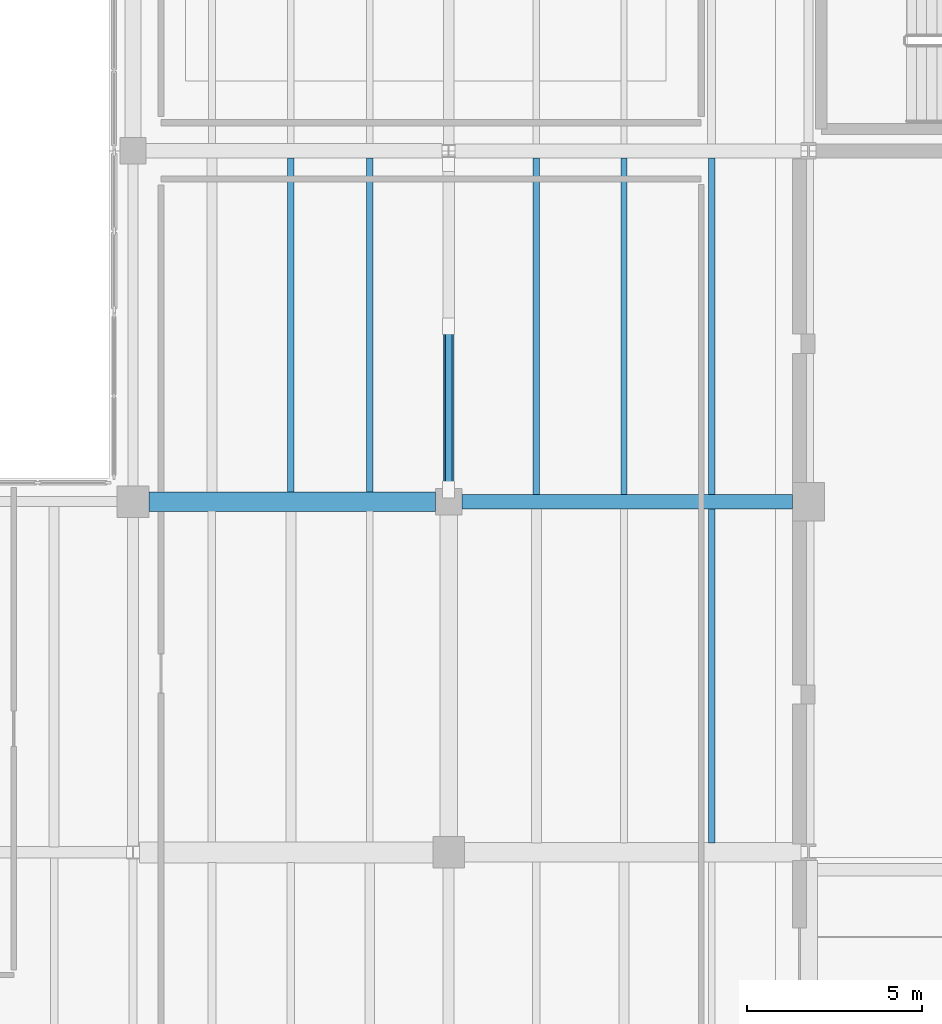
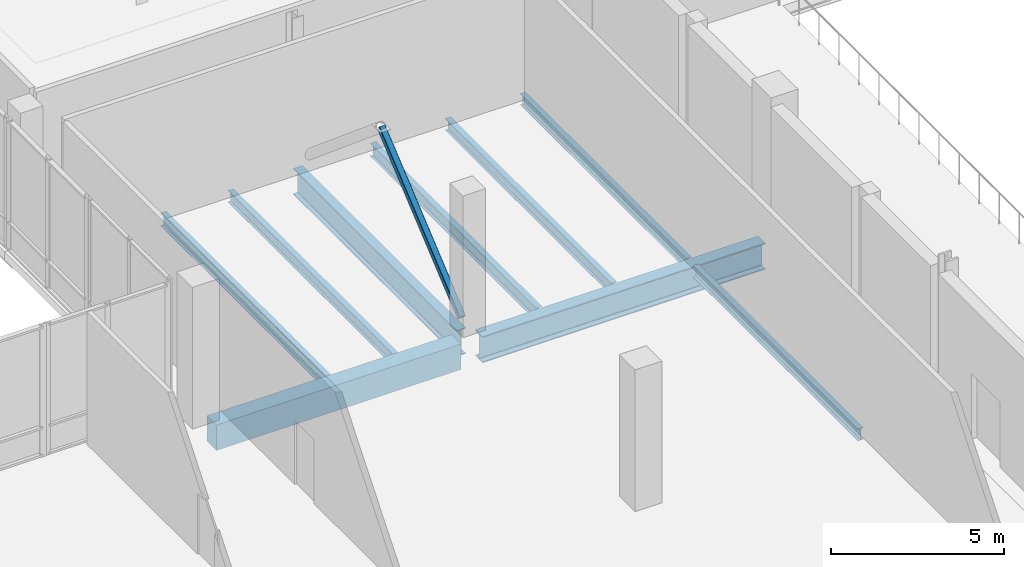
# One storey, part 25 of 81: 9 beams, 1 member.
"""IFC4 building model written with IfcOpenShell, lengths in metres."""

from ifc_helpers import new_model, si_unit, direction, frame, origin, origin_2d, place, context, subcontext, project, spatial, rectangle, hollow_rectangle, i_section, extrude, material, material_profile, profile_set, type_object, element, save


model = new_model("IFC4")

# Units and contexts
model_context = context("Model", 3, precision=1e-05, world=origin(), true_north=direction((0.0, 1.0)))
body_context = subcontext(model_context, "Body", "Model", "MODEL_VIEW")
ifc_project = project(units=[si_unit("LENGTHUNIT", "METRE"), si_unit("AREAUNIT", "SQUARE_METRE"), si_unit("VOLUMEUNIT", "CUBIC_METRE"), si_unit("PLANEANGLEUNIT", "RADIAN"), si_unit("MASSUNIT", "GRAM", prefix="KILO")], contexts=[model_context])

# Site, building, storey
site_placement = place(None, origin())
site = spatial("IfcSite", under=ifc_project, at=site_placement, CompositionType="ELEMENT")
building_placement = place(site_placement, origin())
building = spatial("IfcBuilding", under=site, at=building_placement, Name="Trimount Lyric Opera House", CompositionType="ELEMENT")
storey_placement = place(building_placement, frame((0.0, 0.0, 5.0)))
storey = spatial("IfcBuildingStorey", under=building, at=storey_placement, Name="L01", CompositionType="ELEMENT", Elevation=5.0)

# Beams
ifc_material_1 = material(Name="Steel ASTM A992 Grade 50", Category="steel")
ifc_material_profile_1 = material_profile(ifc_material_1, i_section(OverallWidth=0.4189453125, OverallDepth=0.927001953125, WebThickness=0.019287109375, FlangeThickness=0.031982421875, FilletRadius=0.02392578125, at=origin_2d()), Name="W36X231")
ifc_profile_set_1 = profile_set([ifc_material_profile_1], Name="Steel ASTM A992 Grade 50")
beam_type_1 = type_object("IfcBeamType", Name="B-02", PredefinedType="BEAM", material=ifc_profile_set_1)
beam_1_placement = place(storey_placement, frame((54.375, 74.0, -0.78857421875), z_axis=(1.0, 0.0, 0.0), x_axis=(0.0, 1.0, 0.0)))
element("IfcBeam", 1, at=beam_1_placement, inside=storey, type_object=beam_type_1, Name="L01 girder X-0526", PredefinedType="BEAM", context=body_context, shape_type="SweptSolid", body=[
    extrude(i_section(OverallWidth=0.4189453125, OverallDepth=0.927001953125, WebThickness=0.019287109375, FlangeThickness=0.031982421875, FilletRadius=0.02392578125, at=origin_2d()), origin(), (0.0, 0.0, 1.0), 9.43505859375),
])
ifc_material_2 = material(Name="Steel ASTM A992 Grade 50", Category="steel")
ifc_material_profile_2 = material_profile(ifc_material_2, i_section(OverallWidth=0.304931640625, OverallDepth=0.9189453125, WebThickness=0.017333984375, FlangeThickness=0.02783203125, FilletRadius=0.02001953125, at=origin_2d()), Name="W36X170")
ifc_profile_set_2 = profile_set([ifc_material_profile_2], Name="Steel ASTM A992 Grade 50")
beam_type_2 = type_object("IfcBeamType", Name="B-03", PredefinedType="BEAM", material=ifc_profile_set_2)
beam_2_placement = place(storey_placement, frame((54.0, 74.375, -0.739501953125), z_axis=(0.0, 1.0, 0.0), x_axis=(-1.0, 0.0, 0.0)))
element("IfcBeam", 2, at=beam_2_placement, inside=storey, type_object=beam_type_2, Name="L01 girder Y-0642", PredefinedType="BEAM", context=body_context, shape_type="SweptSolid", body=[
    extrude(i_section(OverallWidth=0.304931640625, OverallDepth=0.9189453125, WebThickness=0.017333984375, FlangeThickness=0.02783203125, FilletRadius=0.02001953125, at=origin_2d()), origin(), (0.0, 0.0, 1.0), 9.447021484375),
])
ifc_material_3 = material(Name="Concrete C40/50", Category="concrete")
ifc_material_profile_3 = material_profile(ifc_material_3, rectangle(XDim=0.550048828125, YDim=0.89990234375, at=origin_2d()), Name="RC550X900")
ifc_profile_set_3 = profile_set([ifc_material_profile_3], Name="Concrete C40/50")
beam_type_3 = type_object("IfcBeamType", Name="B-14", PredefinedType="BEAM", material=ifc_profile_set_3)
beam_3_placement = place(storey_placement, frame((45.449951171875, 74.0, -0.72998046875), z_axis=(1.0, 0.0, 0.0), x_axis=(0.0, 1.0, 0.0)))
element("IfcBeam", 3, at=beam_3_placement, inside=storey, type_object=beam_type_3, Name="L01 girder X-0525", PredefinedType="BEAM", context=body_context, shape_type="SweptSolid", body=[
    extrude(rectangle(XDim=0.550048828125, YDim=0.89990234375, at=origin_2d()), origin(), (0.0, 0.0, 1.0), 8.175048828125),
])

# Member
ifc_material_4 = material(Name="Steel ASTM A500 Grade C", Category="steel")
ifc_material_profile_4 = material_profile(ifc_material_4, hollow_rectangle(XDim=0.203125, YDim=0.203125, WallThickness=0.0087890625, InnerFilletRadius=0.00927734375, OuterFilletRadius=0.01806640625, at=origin_2d()), Name="HSS203.2X203.2X9.5")
ifc_profile_set_4 = profile_set([ifc_material_profile_4], Name="Steel ASTM A500 Grade C")
member_type = type_object("IfcMemberType", Name="BR-04", PredefinedType="BRACE", material=ifc_profile_set_4)
member_placement = place(storey_placement, frame((54.0, 74.35009765625, 0.14990234375), z_axis=(0.0, 0.766173014074, 0.642634353661), x_axis=(-1.0, 0.0, 0.0)))
element("IfcMember", 4, at=member_placement, inside=storey, type_object=member_type, Name="L01 lateral chevron brace BF-2.1", PredefinedType="BRACE", context=body_context, shape_type="SweptSolid", body=[
    extrude(hollow_rectangle(XDim=0.203125, YDim=0.203125, WallThickness=0.0087890625, InnerFilletRadius=0.00927734375, OuterFilletRadius=0.01806640625, at=origin_2d()), origin(), (0.0, 0.0, 1.0), 6.069091796875),
])

# Beams
ifc_material_5 = material(Name="Steel ASTM A992 Grade 50", Category="steel")
ifc_material_profile_5 = material_profile(ifc_material_5, i_section(OverallWidth=0.19091796875, OverallDepth=0.45703125, WebThickness=0.009033203125, FlangeThickness=0.014404296875, FilletRadius=0.010986328125, at=origin_2d()), Name="W18X50")
ifc_profile_set_5 = profile_set([ifc_material_profile_5], Name="Steel ASTM A992 Grade 50")
beam_type_4 = type_object("IfcBeamType", Name="J-04", PredefinedType="BEAM", material=ifc_profile_set_5)
beam_4_placement = place(storey_placement, frame((49.5, 74.27099609375, -0.508544921875), z_axis=(0.0, 1.0, 0.0), x_axis=(-1.0, 0.0, 0.0)))
element("IfcBeam", 5, at=beam_4_placement, inside=storey, type_object=beam_type_4, Name="L01 composite floor joist 0648", PredefinedType="BEAM", context=body_context, shape_type="SweptSolid", body=[
    extrude(i_section(OverallWidth=0.19091796875, OverallDepth=0.45703125, WebThickness=0.009033203125, FlangeThickness=0.014404296875, FilletRadius=0.010986328125, at=origin_2d()), origin(), (0.0, 0.0, 1.0), 9.5234375),
])
beam_5_placement = place(storey_placement, frame((56.5, 74.20556640625, -0.508544921875), z_axis=(0.0, 1.0, 0.0), x_axis=(-1.0, 0.0, 0.0)))
element("IfcBeam", 6, at=beam_5_placement, inside=storey, type_object=beam_type_4, Name="L01 composite floor joist 0674", PredefinedType="BEAM", context=body_context, shape_type="SweptSolid", body=[
    extrude(i_section(OverallWidth=0.19091796875, OverallDepth=0.45703125, WebThickness=0.009033203125, FlangeThickness=0.014404296875, FilletRadius=0.010986328125, at=origin_2d()), origin(), (0.0, 0.0, 1.0), 9.597900390625),
])
ifc_material_6 = material(Name="Steel ASTM A992 Grade 50", Category="steel")
ifc_material_profile_6 = material_profile(ifc_material_6, i_section(OverallWidth=0.180908203125, OverallDepth=0.4169921875, WebThickness=0.010986328125, FlangeThickness=0.018310546875, FilletRadius=0.010986328125, at=origin_2d()), Name="W16X57")
ifc_profile_set_6 = profile_set([ifc_material_profile_6], Name="Steel ASTM A992 Grade 50")
beam_type_5 = type_object("IfcBeamType", Name="J-05", PredefinedType="BEAM", material=ifc_profile_set_6)
for number, where, z_axis, x_axis, name in (
    (7, (51.75, 74.27099609375, -0.488525390625), (0.0, 1.0, 0.0), (-1.0, 0.0, 0.0), "L01 composite floor joist 0649"),
    (8, (61.5, 64.27099609375, -0.488525390625), (0.0, 1.0, 0.0), (-1.0, 0.0, 0.0), "L01 composite floor joist 0673"),
):
    element("IfcBeam", number, at=place(storey_placement, frame(where, z_axis=z_axis, x_axis=x_axis)), inside=storey, type_object=beam_type_5, Name=name, PredefinedType="BEAM", context=body_context, shape_type="SweptSolid", body=[
        extrude(i_section(OverallWidth=0.180908203125, OverallDepth=0.4169921875, WebThickness=0.010986328125, FlangeThickness=0.018310546875, FilletRadius=0.010986328125, at=origin_2d()), origin(), (0.0, 0.0, 1.0), 9.5234375),
    ])
beam_6_placement = place(storey_placement, frame((59.0, 74.20556640625, -0.488525390625), z_axis=(0.0, 1.0, 0.0), x_axis=(-1.0, 0.0, 0.0)))
element("IfcBeam", 9, at=beam_6_placement, inside=storey, type_object=beam_type_5, Name="L01 composite floor joist 0675", PredefinedType="BEAM", context=body_context, shape_type="SweptSolid", body=[
    extrude(i_section(OverallWidth=0.180908203125, OverallDepth=0.4169921875, WebThickness=0.010986328125, FlangeThickness=0.018310546875, FilletRadius=0.010986328125, at=origin_2d()), origin(), (0.0, 0.0, 1.0), 9.597900390625),
])
ifc_material_7 = material(Name="Steel ASTM A992 Grade 50", Category="steel")
ifc_material_profile_7 = material_profile(ifc_material_7, i_section(OverallWidth=0.177978515625, OverallDepth=0.404052734375, WebThickness=0.007568359375, FlangeThickness=0.010986328125, FilletRadius=0.010009765625, at=origin_2d()), Name="W16X36")
ifc_profile_set_7 = profile_set([ifc_material_profile_7], Name="Steel ASTM A992 Grade 50")
beam_type_6 = type_object("IfcBeamType", Name="J-06", PredefinedType="BEAM", material=ifc_profile_set_7)
beam_7_placement = place(storey_placement, frame((61.5, 74.20556640625, -0.48193359375), z_axis=(0.0, 1.0, 0.0), x_axis=(-1.0, 0.0, 0.0)))
element("IfcBeam", 10, at=beam_7_placement, inside=storey, type_object=beam_type_6, Name="L01 composite floor joist 0676", PredefinedType="BEAM", context=body_context, shape_type="SweptSolid", body=[
    extrude(i_section(OverallWidth=0.177978515625, OverallDepth=0.404052734375, WebThickness=0.007568359375, FlangeThickness=0.010986328125, FilletRadius=0.010009765625, at=origin_2d()), origin(), (0.0, 0.0, 1.0), 9.597900390625),
])

save(model, "model.ifc")
